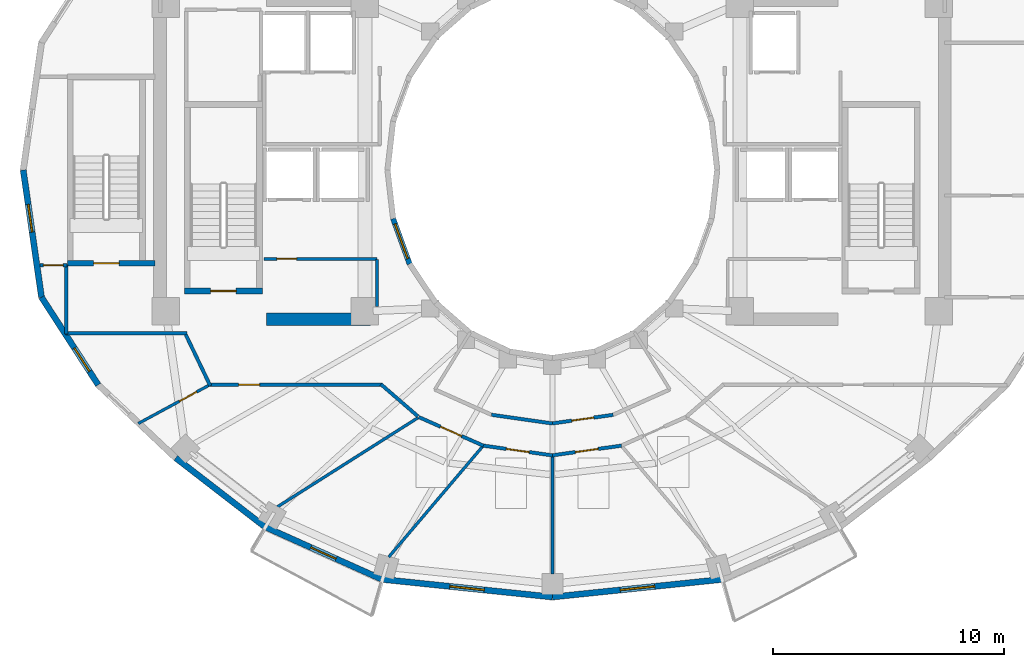
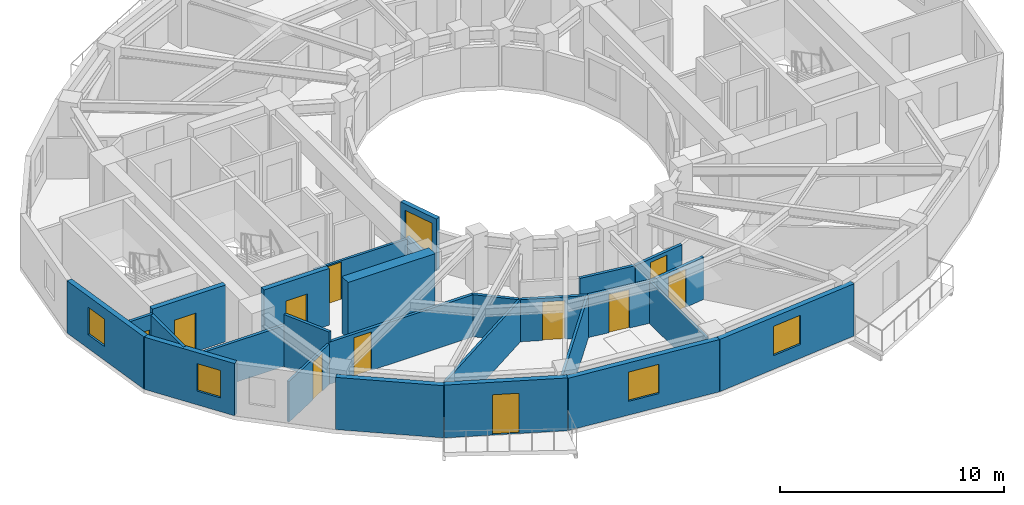
# One storey, part 3 of 10: 27 walls, 11 doors, 5 windows, 16 openings.
"""IFC4 building model written with IfcOpenShell, lengths in metres."""

from ifc_helpers import new_model, si_unit, direction, frame, frame_2d, origin, place, context, subcontext, project, spatial, rectangle, extrude, material, layer, layer_set, type_object, element, fill, save


model = new_model("IFC4")

# Units and contexts
model_context = context("Model", 3, precision=1e-05, world=origin(), true_north=direction((0.0, 1.0)))
body_context = subcontext(model_context, "Body", "Model", "MODEL_VIEW")
ifc_project = project(units=[si_unit("LENGTHUNIT", "METRE"), si_unit("AREAUNIT", "SQUARE_METRE"), si_unit("VOLUMEUNIT", "CUBIC_METRE"), si_unit("PLANEANGLEUNIT", "RADIAN"), si_unit("MASSUNIT", "GRAM", prefix="KILO")], contexts=[model_context])

# Site, building, storey
site_placement = place(None, origin())
site = spatial("IfcSite", under=ifc_project, at=site_placement, CompositionType="ELEMENT")
building_placement = place(site_placement, origin())
building = spatial("IfcBuilding", under=site, at=building_placement, Name="Solvane Sanctuary Tower", CompositionType="ELEMENT")
storey_placement = place(building_placement, frame((0.0, 0.0, 183.89990234375)))
storey = spatial("IfcBuildingStorey", under=building, at=storey_placement, Name="L56", CompositionType="ELEMENT", Elevation=183.89990234375)

# Wall
ifc_material_1 = material(Name="Concrete C50/60", Category="concrete")
ifc_layer_1 = layer(ifc_material_1, 0.550048828125, Name="Concrete C50/60")
ifc_layer_set_1 = layer_set([ifc_layer_1], Name="Concrete C50/60")
wall_type_1 = type_object("IfcWallType", Name="Wall W-CORE-550", PredefinedType="SHEAR", material=ifc_layer_set_1)
wall_1_placement = place(storey_placement, frame((19.64990234375, 16.550048828125, 0.0), z_axis=(0.0, 0.0, 1.0), x_axis=(1.0, 0.0, 0.0)))
element("IfcWall", 1, at=wall_1_placement, inside=storey, type_object=wall_type_1, Name="L56 Core Shear Wall WC-S", PredefinedType="SHEAR", context=body_context, shape_type="SweptSolid", body=[
    extrude(rectangle(XDim=4.5, YDim=0.550048828125, at=frame_2d((2.25, 0.0))), origin(), (0.0, 0.0, 1.0), 3.10009765625),
])

# Wall, opening, door
ifc_material_2 = material(Name="Acoustic Gypsum Partition Board")
ifc_layer_2 = layer(ifc_material_2, 0.14990234375, Name="Acoustic Gypsum Partition Board")
ifc_layer_set_2 = layer_set([ifc_layer_2], Name="Acoustic Gypsum Partition Board")
wall_type_2 = type_object("IfcWallType", Name="Wall W-CORR-150", PredefinedType="PARTITIONING", material=ifc_layer_set_2)
wall_2_placement = place(storey_placement, frame((9.869873046875, 18.8798828125, 0.0), z_axis=(0.0, 0.0, 1.0), x_axis=(1.0, 0.0, 0.0)))
wall_2 = element("IfcWall", 2, at=wall_2_placement, inside=storey, type_object=wall_type_2, Name="L56 SW Corner Closer 1", PredefinedType="PARTITIONING", context=body_context, shape_type="SweptSolid", body=[
    extrude(rectangle(XDim=1.170166015625, YDim=0.14990234375, at=frame_2d((0.5849609375, 0.0))), origin(), (0.0, 0.0, 1.0), 2.85498046875),
])
opening_1_placement = place(wall_2_placement, frame((0.139892578125, 0.0, 0.0)))
opening_1 = element("IfcOpeningElement", 3, at=opening_1_placement, cuts=wall_2, Name="Opening D-L56-19", PredefinedType="OPENING", context=body_context, shape_type="SweptSolid", body=[
    extrude(rectangle(XDim=0.85009765625, YDim=2.050048828125, at=frame_2d((0.425048828125, 1.02490234375))), frame((0.0, 0.0849609375, 0.0), z_axis=(0.0, -1.0, 0.0), x_axis=(1.0, 0.0, 0.0)), (0.0, 0.0, 1.0), 0.169921875),
])
ifc_material_3 = material(Name="Architectural Stainless Steel 316", Category="steel")
door_type_1 = type_object("IfcDoorType", Name="Door D-RISER", OperationType="NOTDEFINED", PredefinedType="DOOR", material=ifc_material_3)
door_1_placement = place(opening_1_placement, origin())
door_1 = element("IfcDoor", 4, at=door_1_placement, inside=storey, type_object=door_type_1, Name="L56 West Lookout Study Door", OperationType="SINGLE_SWING_LEFT", OverallHeight=2.050048828125, OverallWidth=0.85009765625, PredefinedType="DOOR", context=body_context, shape_type="SweptSolid", body=[
    extrude(rectangle(XDim=0.85009765625, YDim=2.050048828125, at=frame_2d((0.425048828125, 1.02490234375))), frame((0.0, 0.02490234375, 0.0), z_axis=(0.0, -1.0, 0.0), x_axis=(1.0, 0.0, 0.0)), (0.0, 0.0, 1.0), 0.050048828125),
])
fill(opening_1, door_1)

# Walls
wall_3_placement = place(storey_placement, frame((11.0, 15.909912109375, 0.0), z_axis=(0.0, 0.0, 1.0), x_axis=(0.0, 1.0, 0.0)))
element("IfcWall", 5, at=wall_3_placement, inside=storey, type_object=wall_type_2, Name="L56 SW Corner Closer 2", PredefinedType="PARTITIONING", context=body_context, shape_type="SweptSolid", body=[
    extrude(rectangle(XDim=3.010009765625, YDim=0.14990234375, at=frame_2d((1.5048828125, 0.0))), origin(), (0.0, 0.0, 1.0), 2.85498046875),
])
wall_4_placement = place(storey_placement, frame((10.9599609375, 15.949951171875, 0.0), z_axis=(0.0, 0.0, 1.0), x_axis=(1.0, 0.0, 0.0)))
element("IfcWall", 6, at=wall_4_placement, inside=storey, type_object=wall_type_2, Name="L56 SW Corner Closer 3", PredefinedType="PARTITIONING", context=body_context, shape_type="SweptSolid", body=[
    extrude(rectangle(XDim=5.260009765625, YDim=0.14990234375, at=frame_2d((2.6298828125, 0.0))), origin(), (0.0, 0.0, 1.0), 2.22021484375),
])
wall_5_placement = place(storey_placement, frame((26.193359375, 12.35791015625, 0.0), z_axis=(0.0, 0.0, 1.0), x_axis=(-0.756055312247, 0.654507727092, 0.0)))
element("IfcWall", 7, at=wall_5_placement, inside=storey, type_object=wall_type_2, Name="L56 SW Corner Throat Wall", PredefinedType="PARTITIONING", context=body_context, shape_type="SweptSolid", body=[
    extrude(rectangle(XDim=2.11083984375, YDim=0.14990234375, at=frame_2d((1.055419921875, 0.0))), origin(), (0.0, 0.0, 1.0), 2.299072265625),
])

# Wall, opening, door
wall_6_placement = place(storey_placement, frame((17.14990234375, 13.719970703125, 0.0), z_axis=(0.0, 0.0, 1.0), x_axis=(1.0, 0.0, 0.0)))
wall_6 = element("IfcWall", 8, at=wall_6_placement, inside=storey, type_object=wall_type_2, Name="L56 SW Corner Corridor Wall", PredefinedType="PARTITIONING", context=body_context, shape_type="SweptSolid", body=[
    extrude(rectangle(XDim=7.52001953125, YDim=0.14990234375, at=frame_2d((3.760009765625, 0.0))), origin(), (0.0, 0.0, 1.0), 2.299072265625),
])
opening_2_placement = place(wall_6_placement, frame((1.300048828125, 0.0, 0.0)))
opening_2 = element("IfcOpeningElement", 9, at=opening_2_placement, cuts=wall_6, Name="Opening D-L56-21", PredefinedType="OPENING", context=body_context, shape_type="SweptSolid", body=[
    extrude(rectangle(XDim=0.89990234375, YDim=2.10009765625, at=frame_2d((0.449951171875, 1.050048828125))), frame((0.0, 0.0849609375, 0.0), z_axis=(0.0, -1.0, 0.0), x_axis=(1.0, 0.0, 0.0)), (0.0, 0.0, 1.0), 0.169921875),
])
ifc_material_4 = material(Name="Engineered Tropical Hardwood", Category="wood")
door_type_2 = type_object("IfcDoorType", Name="Door D-WET-900", OperationType="NOTDEFINED", PredefinedType="DOOR", material=ifc_material_4)
door_2_placement = place(opening_2_placement, origin())
door_2 = element("IfcDoor", 10, at=door_2_placement, inside=storey, type_object=door_type_2, Name="L56 SW Corner Salon Door", OperationType="SINGLE_SWING_LEFT", OverallHeight=2.10009765625, OverallWidth=0.89990234375, PredefinedType="DOOR", context=body_context, shape_type="SweptSolid", body=[
    extrude(rectangle(XDim=0.89990234375, YDim=2.10009765625, at=frame_2d((0.449951171875, 1.050048828125))), frame((0.0, 0.02490234375, 0.0), z_axis=(0.0, -1.0, 0.0), x_axis=(1.0, 0.0, 0.0)), (0.0, 0.0, 1.0), 0.050048828125),
])
fill(opening_2, door_2)

# Walls
wall_7_placement = place(storey_placement, frame((17.2216796875, 13.6748046875, 0.0), z_axis=(0.0, 0.0, 1.0), x_axis=(-0.431973389813, 0.901886351207, 0.0)))
element("IfcWall", 11, at=wall_7_placement, inside=storey, type_object=wall_type_2, Name="L56 SW Corner Wing Wall", PredefinedType="PARTITIONING", context=body_context, shape_type="SweptSolid", body=[
    extrude(rectangle(XDim=2.45166015625, YDim=0.14990234375, at=frame_2d((1.225830078125, 0.0))), origin(), (0.0, 0.0, 1.0), 2.85498046875),
])
wall_8_placement = place(storey_placement, frame((29.371337890625, 12.423583984375, 0.0), z_axis=(0.0, 0.0, 1.0), x_axis=(0.990066775667, -0.1405979364, 0.0)))
element("IfcWall", 12, at=wall_8_placement, inside=storey, type_object=wall_type_2, Name="L56 Inner Light-Well Corridor Wall S1", PredefinedType="PARTITIONING", context=body_context, shape_type="SweptSolid", body=[
    extrude(rectangle(XDim=2.65673828125, YDim=0.14990234375, at=frame_2d((1.328369140625, 0.0))), origin(), (0.0, 0.0, 1.0), 2.299072265625),
])

# Wall, opening, door
wall_9_placement = place(storey_placement, frame((31.998291015625, 12.050048828125, 0.0), z_axis=(0.0, 0.0, 1.0), x_axis=(0.990066775667, 0.1405979364, 0.0)))
wall_9 = element("IfcWall", 13, at=wall_9_placement, inside=storey, type_object=wall_type_2, Name="L56 Inner Light-Well Corridor Wall S1", PredefinedType="PARTITIONING", context=body_context, shape_type="SweptSolid", body=[
    extrude(rectangle(XDim=2.65673828125, YDim=0.14990234375, at=frame_2d((1.328369140625, 0.0))), origin(), (0.0, 0.0, 1.0), 2.299072265625),
])
opening_3_placement = place(wall_9_placement, frame((0.853515625, 0.0, 0.0)))
opening_3 = element("IfcOpeningElement", 14, at=opening_3_placement, cuts=wall_9, Name="Opening D-L56-23", PredefinedType="OPENING", context=body_context, shape_type="SweptSolid", body=[
    extrude(rectangle(XDim=0.949951171875, YDim=2.10009765625, at=frame_2d((0.47509765625, 1.050048828125))), frame((0.0, 0.0849609375, 0.0), z_axis=(0.0, -1.0, 0.0), x_axis=(1.0, 0.0, 0.0)), (0.0, 0.0, 1.0), 0.169921875),
])
door_type_3 = type_object("IfcDoorType", Name="Door D-ROOM-950", OperationType="NOTDEFINED", PredefinedType="DOOR", material=ifc_material_4)
door_3_placement = place(opening_3_placement, origin())
door_3 = element("IfcDoor", 15, at=door_3_placement, inside=storey, type_object=door_type_3, Name="L56 Inner Light-Well Salon Door S1", OperationType="SINGLE_SWING_LEFT", OverallHeight=2.10009765625, OverallWidth=0.949951171875, PredefinedType="DOOR", context=body_context, shape_type="SweptSolid", body=[
    extrude(rectangle(XDim=0.949951171875, YDim=2.10009765625, at=frame_2d((0.47509765625, 1.050048828125))), frame((0.0, 0.02490234375, 0.0), z_axis=(0.0, -1.0, 0.0), x_axis=(1.0, 0.0, 0.0)), (0.0, 0.0, 1.0), 0.050048828125),
])
fill(opening_3, door_3)

wall_10_placement = place(storey_placement, frame((26.22802734375, 12.326171875, 0.0), z_axis=(0.0, 0.0, 1.0), x_axis=(0.914324470734, -0.404982422108, 0.0)))
wall_10 = element("IfcWall", 16, at=wall_10_placement, inside=storey, type_object=wall_type_2, Name="L56 Unit Corridor Wall S1", PredefinedType="PARTITIONING", context=body_context, shape_type="SweptSolid", body=[
    extrude(rectangle(XDim=3.0576171875, YDim=0.14990234375, at=frame_2d((1.52880859375, 0.0))), origin(), (0.0, 0.0, 1.0), 2.299072265625),
])
opening_4_placement = place(wall_10_placement, frame((1.02880859375, 0.0, 0.0)))
opening_4 = element("IfcOpeningElement", 17, at=opening_4_placement, cuts=wall_10, Name="Opening D-L56-28", PredefinedType="OPENING", context=body_context, shape_type="SweptSolid", body=[
    extrude(rectangle(XDim=1.0, YDim=2.10009765625, at=frame_2d((0.5, 1.050048828125))), frame((0.0, 0.0849609375, 0.0), z_axis=(0.0, -1.0, 0.0), x_axis=(1.0, 0.0, 0.0)), (0.0, 0.0, 1.0), 0.169921875),
])
door_type_4 = type_object("IfcDoorType", Name="Door D-UNIT", OperationType="NOTDEFINED", PredefinedType="DOOR", material=ifc_material_4)
door_4_placement = place(opening_4_placement, origin())
door_4 = element("IfcDoor", 18, at=door_4_placement, inside=storey, type_object=door_type_4, Name="L56 Unit Entrance Door S1", OperationType="SINGLE_SWING_RIGHT", OverallHeight=2.10009765625, OverallWidth=1.0, PredefinedType="DOOR", context=body_context, shape_type="SweptSolid", body=[
    extrude(rectangle(XDim=1.0, YDim=2.10009765625, at=frame_2d((0.5, 1.050048828125))), frame((0.0, 0.02490234375, 0.0), z_axis=(0.0, -1.0, 0.0), x_axis=(1.0, 0.0, 0.0)), (0.0, 0.0, 1.0), 0.050048828125),
])
fill(opening_4, door_4)

wall_11_placement = place(storey_placement, frame((29.008056640625, 11.09228515625, 0.0), z_axis=(0.0, 0.0, 1.0), x_axis=(0.990234341072, -0.139412875167, 0.0)))
wall_11 = element("IfcWall", 19, at=wall_11_placement, inside=storey, type_object=wall_type_2, Name="L56 Unit Corridor Wall S2", PredefinedType="PARTITIONING", context=body_context, shape_type="SweptSolid", body=[
    extrude(rectangle(XDim=3.029541015625, YDim=0.14990234375, at=frame_2d((1.5146484375, 0.0))), origin(), (0.0, 0.0, 1.0), 2.299072265625),
])
opening_5_placement = place(wall_11_placement, frame((1.014892578125, 0.0, 0.0)))
opening_5 = element("IfcOpeningElement", 20, at=opening_5_placement, cuts=wall_11, Name="Opening D-L56-29", PredefinedType="OPENING", context=body_context, shape_type="SweptSolid", body=[
    extrude(rectangle(XDim=1.0, YDim=2.10009765625, at=frame_2d((0.5, 1.050048828125))), frame((0.0, 0.0849609375, 0.0), z_axis=(0.0, -1.0, 0.0), x_axis=(1.0, 0.0, 0.0)), (0.0, 0.0, 1.0), 0.169921875),
])
door_5_placement = place(opening_5_placement, origin())
door_5 = element("IfcDoor", 21, at=door_5_placement, inside=storey, type_object=door_type_4, Name="L56 Unit Entrance Door S2", OperationType="SINGLE_SWING_LEFT", OverallHeight=2.10009765625, OverallWidth=1.0, PredefinedType="DOOR", context=body_context, shape_type="SweptSolid", body=[
    extrude(rectangle(XDim=1.0, YDim=2.10009765625, at=frame_2d((0.5, 1.050048828125))), frame((0.0, 0.02490234375, 0.0), z_axis=(0.0, -1.0, 0.0), x_axis=(1.0, 0.0, 0.0)), (0.0, 0.0, 1.0), 0.050048828125),
])
fill(opening_5, door_5)

wall_12_placement = place(storey_placement, frame((31.991943359375, 10.669921875, 0.0), z_axis=(0.0, 0.0, 1.0), x_axis=(0.990234341072, 0.139412875167, 0.0)))
wall_12 = element("IfcWall", 22, at=wall_12_placement, inside=storey, type_object=wall_type_2, Name="L56 Unit Corridor Wall S3", PredefinedType="PARTITIONING", context=body_context, shape_type="SweptSolid", body=[
    extrude(rectangle(XDim=3.029541015625, YDim=0.14990234375, at=frame_2d((1.5146484375, 0.0))), origin(), (0.0, 0.0, 1.0), 2.299072265625),
])
opening_6_placement = place(wall_12_placement, frame((1.014892578125, 0.0, 0.0)))
opening_6 = element("IfcOpeningElement", 23, at=opening_6_placement, cuts=wall_12, Name="Opening D-L56-30", PredefinedType="OPENING", context=body_context, shape_type="SweptSolid", body=[
    extrude(rectangle(XDim=1.0, YDim=2.10009765625, at=frame_2d((0.5, 1.050048828125))), frame((0.0, 0.0849609375, 0.0), z_axis=(0.0, -1.0, 0.0), x_axis=(1.0, 0.0, 0.0)), (0.0, 0.0, 1.0), 0.169921875),
])
door_6_placement = place(opening_6_placement, origin())
door_6 = element("IfcDoor", 24, at=door_6_placement, inside=storey, type_object=door_type_4, Name="L56 Unit Entrance Door S3", OperationType="SINGLE_SWING_RIGHT", OverallHeight=2.10009765625, OverallWidth=1.0, PredefinedType="DOOR", context=body_context, shape_type="SweptSolid", body=[
    extrude(rectangle(XDim=1.0, YDim=2.10009765625, at=frame_2d((0.5, 1.050048828125))), frame((0.0, 0.02490234375, 0.0), z_axis=(0.0, -1.0, 0.0), x_axis=(1.0, 0.0, 0.0)), (0.0, 0.0, 1.0), 0.050048828125),
])
fill(opening_6, door_6)

# Wall, opening, window
ifc_material_5 = material(Name="Precast concrete C40/50", Category="concrete")
ifc_layer_3 = layer(ifc_material_5, 0.260009765625, Name="Precast concrete C40/50")
ifc_layer_set_3 = layer_set([ifc_layer_3], Name="Precast concrete C40/50")
wall_type_3 = type_object("IfcWallType", Name="Wall W-EXT-250", PredefinedType="STANDARD", material=ifc_layer_set_3)
wall_13_placement = place(storey_placement, frame((9.139892578125, 23.0, 0.0), z_axis=(0.0, 0.0, 1.0), x_axis=(0.142227632286, -0.989833976288, 0.0)))
wall_13 = element("IfcWall", 25, at=wall_13_placement, inside=storey, type_object=wall_type_3, Name="L56 Ceramic-Printed Facade Wall 12", PredefinedType="STANDARD", context=body_context, shape_type="SweptSolid", body=[
    extrude(rectangle(XDim=5.552978515625, YDim=0.260009765625, at=frame_2d((2.7763671875, 0.0))), origin(), (0.0, 0.0, 1.0), 2.85009765625),
])
opening_7_placement = place(wall_13_placement, frame((1.506103515625, 0.0, 0.75)))
opening_7 = element("IfcOpeningElement", 26, at=opening_7_placement, cuts=wall_13, Name="Opening WN-OPER-1200", PredefinedType="OPENING", context=body_context, shape_type="SweptSolid", body=[
    extrude(rectangle(XDim=1.199951171875, YDim=1.5, at=frame_2d((0.60009765625, 0.75))), frame((0.0, 0.139892578125, 0.0), z_axis=(0.0, -1.0, 0.0), x_axis=(1.0, 0.0, 0.0)), (0.0, 0.0, 1.0), 0.280029296875),
])
ifc_material_6 = material(Name="Dark Ceramic-Fritted Low-E Glass", Category="glass")
window_type_1 = type_object("IfcWindowType", Name="Window WN-OPER-1200", PartitioningType="SINGLE_PANEL", PredefinedType="WINDOW", material=ifc_material_6)
window_1_placement = place(opening_7_placement, origin())
window_1 = element("IfcWindow", 27, at=window_1_placement, inside=storey, type_object=window_type_1, Name="L56 Operable Facade Window 12", OverallHeight=1.5, OverallWidth=1.199951171875, PartitioningType="SINGLE_PANEL", PredefinedType="WINDOW", context=body_context, shape_type="SweptSolid", body=[
    extrude(rectangle(XDim=1.199951171875, YDim=1.5, at=frame_2d((0.60009765625, 0.75))), frame((0.0, 0.030029296875, 0.0), z_axis=(0.0, -1.0, 0.0), x_axis=(1.0, 0.0, 0.0)), (0.0, 0.0, 1.0), 0.06005859375),
])
fill(opening_7, window_1)

wall_14_placement = place(storey_placement, frame((9.9296875, 17.50341796875, 0.0), z_axis=(0.0, 0.0, 1.0), x_axis=(0.543358984534, -0.839500454989, 0.0)))
wall_14 = element("IfcWall", 28, at=wall_14_placement, inside=storey, type_object=wall_type_3, Name="L56 Ceramic-Printed Facade Wall 13", PredefinedType="STANDARD", context=body_context, shape_type="SweptSolid", body=[
    extrude(rectangle(XDim=4.51123046875, YDim=0.260009765625, at=frame_2d((2.255615234375, 0.0))), origin(), (0.0, 0.0, 1.0), 2.85009765625),
])
opening_8_placement = place(wall_14_placement, frame((2.615478515625, 0.0, 0.75)))
opening_8 = element("IfcOpeningElement", 29, at=opening_8_placement, cuts=wall_14, Name="Opening WN-OPER-1200", PredefinedType="OPENING", context=body_context, shape_type="SweptSolid", body=[
    extrude(rectangle(XDim=1.199951171875, YDim=1.5, at=frame_2d((0.60009765625, 0.75))), frame((0.0, 0.139892578125, 0.0), z_axis=(0.0, -1.0, 0.0), x_axis=(1.0, 0.0, 0.0)), (0.0, 0.0, 1.0), 0.280029296875),
])
window_2_placement = place(opening_8_placement, origin())
window_2 = element("IfcWindow", 30, at=window_2_placement, inside=storey, type_object=window_type_1, Name="L56 Operable Facade Window 13", OverallHeight=1.5, OverallWidth=1.199951171875, PartitioningType="SINGLE_PANEL", PredefinedType="WINDOW", context=body_context, shape_type="SweptSolid", body=[
    extrude(rectangle(XDim=1.199951171875, YDim=1.5, at=frame_2d((0.60009765625, 0.75))), frame((0.0, 0.030029296875, 0.0), z_axis=(0.0, -1.0, 0.0), x_axis=(1.0, 0.0, 0.0)), (0.0, 0.0, 1.0), 0.06005859375),
])
fill(opening_8, window_2)

# Wall
wall_15_placement = place(storey_placement, frame((15.730712890625, 10.55859375, 0.0), z_axis=(0.0, 0.0, 1.0), x_axis=(0.791460185804, -0.611220724687, 0.0)))
element("IfcWall", 31, at=wall_15_placement, inside=storey, type_object=wall_type_3, Name="L56 Ceramic-Printed Facade Wall 15", PredefinedType="STANDARD", context=body_context, shape_type="SweptSolid", body=[
    extrude(rectangle(XDim=4.872314453125, YDim=0.260009765625, at=frame_2d((2.43603515625, 0.0))), origin(), (0.0, 0.0, 1.0), 2.85009765625),
])

# Wall, opening, door
wall_16_placement = place(storey_placement, frame((19.5869140625, 7.58056640625, 0.0), z_axis=(0.0, 0.0, 1.0), x_axis=(0.912353637112, -0.409403029847, 0.0)))
wall_16 = element("IfcWall", 32, at=wall_16_placement, inside=storey, type_object=wall_type_3, Name="L56 Balcony Facade Wall S1", PredefinedType="STANDARD", context=body_context, shape_type="SweptSolid", body=[
    extrude(rectangle(XDim=5.53271484375, YDim=0.260009765625, at=frame_2d((2.766357421875, 0.0))), origin(), (0.0, 0.0, 1.0), 2.880126953125),
])
opening_9_placement = place(wall_16_placement, frame((2.16650390625, 0.0, 0.0)))
opening_9 = element("IfcOpeningElement", 33, at=opening_9_placement, cuts=wall_16, Name="Opening D-L56-03", PredefinedType="OPENING", context=body_context, shape_type="SweptSolid", body=[
    extrude(rectangle(XDim=1.199951171875, YDim=2.199951171875, at=frame_2d((0.60009765625, 1.10009765625))), frame((0.0, 0.139892578125, 0.0), z_axis=(0.0, -1.0, 0.0), x_axis=(1.0, 0.0, 0.0)), (0.0, 0.0, 1.0), 0.280029296875),
])
ifc_material_7 = material(Name="Anodised Aluminium 6063-T6", Category="aluminium")
door_type_5 = type_object("IfcDoorType", Name="Door D-BALC-1200", OperationType="NOTDEFINED", PredefinedType="DOOR", material=ifc_material_7)
door_7_placement = place(opening_9_placement, origin())
door_7 = element("IfcDoor", 34, at=door_7_placement, inside=storey, type_object=door_type_5, Name="L56 Glazed Balcony Door S1", OperationType="SINGLE_SWING_RIGHT", OverallHeight=2.199951171875, OverallWidth=1.199951171875, PredefinedType="DOOR", context=body_context, shape_type="SweptSolid", body=[
    extrude(rectangle(XDim=1.199951171875, YDim=2.199951171875, at=frame_2d((0.60009765625, 1.10009765625))), frame((0.0, 0.02490234375, 0.0), z_axis=(0.0, -1.0, 0.0), x_axis=(1.0, 0.0, 0.0)), (0.0, 0.0, 1.0), 0.050048828125),
])
fill(opening_9, door_7)

# Wall, opening, window
wall_17_placement = place(storey_placement, frame((24.634765625, 5.3154296875, 0.0), z_axis=(0.0, 0.0, 1.0), x_axis=(0.994664178965, -0.10316574569, 0.0)))
wall_17 = element("IfcWall", 35, at=wall_17_placement, inside=storey, type_object=wall_type_3, Name="L56 Ceramic-Printed Facade Wall 17", PredefinedType="STANDARD", context=body_context, shape_type="SweptSolid", body=[
    extrude(rectangle(XDim=7.40478515625, YDim=0.260009765625, at=frame_2d((3.702392578125, 0.0))), origin(), (0.0, 0.0, 1.0), 2.85009765625),
])
opening_10_placement = place(wall_17_placement, frame((2.952392578125, 0.0, 0.75)))
opening_10 = element("IfcOpeningElement", 36, at=opening_10_placement, cuts=wall_17, Name="Opening WN-OPER-1500", PredefinedType="OPENING", context=body_context, shape_type="SweptSolid", body=[
    extrude(rectangle(XDim=1.5, YDim=1.60009765625, at=frame_2d((0.75, 0.800048828125))), frame((0.0, 0.139892578125, 0.0), z_axis=(0.0, -1.0, 0.0), x_axis=(1.0, 0.0, 0.0)), (0.0, 0.0, 1.0), 0.280029296875),
])
window_type_2 = type_object("IfcWindowType", Name="Window WN-OPER-1500", PartitioningType="SINGLE_PANEL", PredefinedType="WINDOW", material=ifc_material_6)
window_3_placement = place(opening_10_placement, origin())
window_3 = element("IfcWindow", 37, at=window_3_placement, inside=storey, type_object=window_type_2, Name="L56 Operable Facade Window 17", OverallHeight=1.60009765625, OverallWidth=1.5, PartitioningType="SINGLE_PANEL", PredefinedType="WINDOW", context=body_context, shape_type="SweptSolid", body=[
    extrude(rectangle(XDim=1.5, YDim=1.60009765625, at=frame_2d((0.75, 0.800048828125))), frame((0.0, 0.030029296875, 0.0), z_axis=(0.0, -1.0, 0.0), x_axis=(1.0, 0.0, 0.0)), (0.0, 0.0, 1.0), 0.06005859375),
])
fill(opening_10, window_3)

wall_18_placement = place(storey_placement, frame((32.0, 4.551513671875, 0.0), z_axis=(0.0, 0.0, 1.0), x_axis=(0.994664178965, 0.10316574569, 0.0)))
wall_18 = element("IfcWall", 38, at=wall_18_placement, inside=storey, type_object=wall_type_3, Name="L56 Ceramic-Printed Facade Wall 18", PredefinedType="STANDARD", context=body_context, shape_type="SweptSolid", body=[
    extrude(rectangle(XDim=7.40478515625, YDim=0.260009765625, at=frame_2d((3.702392578125, 0.0))), origin(), (0.0, 0.0, 1.0), 2.85009765625),
])
opening_11_placement = place(wall_18_placement, frame((2.952392578125, 0.0, 0.75)))
opening_11 = element("IfcOpeningElement", 39, at=opening_11_placement, cuts=wall_18, Name="Opening WN-OPER-1500", PredefinedType="OPENING", context=body_context, shape_type="SweptSolid", body=[
    extrude(rectangle(XDim=1.5, YDim=1.60009765625, at=frame_2d((0.75, 0.800048828125))), frame((0.0, 0.139892578125, 0.0), z_axis=(0.0, -1.0, 0.0), x_axis=(1.0, 0.0, 0.0)), (0.0, 0.0, 1.0), 0.280029296875),
])
window_4_placement = place(opening_11_placement, origin())
window_4 = element("IfcWindow", 40, at=window_4_placement, inside=storey, type_object=window_type_2, Name="L56 Operable Facade Window 18", OverallHeight=1.60009765625, OverallWidth=1.5, PartitioningType="SINGLE_PANEL", PredefinedType="WINDOW", context=body_context, shape_type="SweptSolid", body=[
    extrude(rectangle(XDim=1.5, YDim=1.60009765625, at=frame_2d((0.75, 0.800048828125))), frame((0.0, 0.030029296875, 0.0), z_axis=(0.0, -1.0, 0.0), x_axis=(1.0, 0.0, 0.0)), (0.0, 0.0, 1.0), 0.06005859375),
])
fill(opening_11, window_4)

ifc_layer_4 = layer(ifc_material_5, 0.22998046875, Name="Precast concrete C40/50")
ifc_layer_set_4 = layer_set([ifc_layer_4], Name="Precast concrete C40/50")
wall_type_4 = type_object("IfcWallType", Name="Wall W-EXT-SP220", PredefinedType="STANDARD", material=ifc_layer_set_4)
wall_19_placement = place(storey_placement, frame((25.12255859375, 20.8984375, 0.0), z_axis=(0.0, 0.0, 1.0), x_axis=(0.341423187295, -0.93990968033, 0.0)))
wall_19 = element("IfcWall", 41, at=wall_19_placement, inside=storey, type_object=wall_type_4, Name="L56 Central Light-Well Wall 13", PredefinedType="STANDARD", context=body_context, shape_type="SweptSolid", body=[
    extrude(rectangle(XDim=2.083740234375, YDim=0.22998046875, at=frame_2d((1.0419921875, 0.0))), origin(), (0.0, 0.0, 1.0), 2.840087890625),
])
opening_12_placement = place(wall_19_placement, frame((0.24169921875, 0.0, 0.85009765625)))
opening_12 = element("IfcOpeningElement", 42, at=opening_12_placement, cuts=wall_19, Name="Opening WN-WELL-1600", PredefinedType="OPENING", context=body_context, shape_type="SweptSolid", body=[
    extrude(rectangle(XDim=1.60009765625, YDim=1.64990234375, at=frame_2d((0.800048828125, 0.824951171875))), frame((0.0, 0.125, 0.0), z_axis=(0.0, -1.0, 0.0), x_axis=(1.0, 0.0, 0.0)), (0.0, 0.0, 1.0), 0.25),
])
ifc_material_8 = material(Name="Clear Laminated Light-Well Glass", Category="glass")
window_type_3 = type_object("IfcWindowType", Name="Window WN-WELL-1600", PartitioningType="SINGLE_PANEL", PredefinedType="WINDOW", material=ifc_material_8)
window_5_placement = place(opening_12_placement, origin())
window_5 = element("IfcWindow", 43, at=window_5_placement, inside=storey, type_object=window_type_3, Name="L56 Light-Well Daylight Window 13", OverallHeight=1.64990234375, OverallWidth=1.60009765625, PartitioningType="SINGLE_PANEL", PredefinedType="WINDOW", context=body_context, shape_type="SweptSolid", body=[
    extrude(rectangle(XDim=1.60009765625, YDim=1.64990234375, at=frame_2d((0.800048828125, 0.824951171875))), frame((0.0, 0.030029296875, 0.0), z_axis=(0.0, -1.0, 0.0), x_axis=(1.0, 0.0, 0.0)), (0.0, 0.0, 1.0), 0.06005859375),
])
fill(opening_12, window_5)

# Wall, opening, door
ifc_layer_5 = layer(ifc_material_2, 0.1201171875, Name="Acoustic Gypsum Partition Board")
ifc_layer_set_5 = layer_set([ifc_layer_5], Name="Acoustic Gypsum Partition Board")
wall_type_5 = type_object("IfcWallType", Name="Wall W-MOV-100", PredefinedType="MOVABLE", material=ifc_layer_set_5)
wall_20_placement = place(storey_placement, frame((17.243896484375, 13.743896484375, 0.0), z_axis=(0.0, 0.0, 1.0), x_axis=(-0.879385297668, -0.476110804587, 0.0)))
wall_20 = element("IfcWall", 44, at=wall_20_placement, inside=storey, type_object=wall_type_5, Name="L56 SW Corner Suite Partition", PredefinedType="MOVABLE", context=body_context, shape_type="SweptSolid", body=[
    extrude(rectangle(XDim=3.559814453125, YDim=0.1201171875, at=frame_2d((1.77978515625, 0.0))), origin(), (0.0, 0.0, 1.0), 2.22021484375),
])
opening_13_placement = place(wall_20_placement, frame((0.6943359375, 0.0, 0.0)))
opening_13 = element("IfcOpeningElement", 45, at=opening_13_placement, cuts=wall_20, Name="Opening D-L56-20", PredefinedType="OPENING", context=body_context, shape_type="SweptSolid", body=[
    extrude(rectangle(XDim=0.85009765625, YDim=2.050048828125, at=frame_2d((0.425048828125, 1.02490234375))), frame((0.0, 0.070068359375, 0.0), z_axis=(0.0, -1.0, 0.0), x_axis=(1.0, 0.0, 0.0)), (0.0, 0.0, 1.0), 0.14013671875),
])
door_8_placement = place(opening_13_placement, origin())
door_8 = element("IfcDoor", 46, at=door_8_placement, inside=storey, type_object=door_type_1, Name="L56 SW Corner Suite Door", OperationType="SINGLE_SWING_RIGHT", OverallHeight=2.050048828125, OverallWidth=0.85009765625, PredefinedType="DOOR", context=body_context, shape_type="SweptSolid", body=[
    extrude(rectangle(XDim=0.85009765625, YDim=2.050048828125, at=frame_2d((0.425048828125, 1.02490234375))), frame((0.0, 0.02490234375, 0.0), z_axis=(0.0, -1.0, 0.0), x_axis=(1.0, 0.0, 0.0)), (0.0, 0.0, 1.0), 0.050048828125),
])
fill(opening_13, door_8)

ifc_layer_6 = layer(ifc_material_2, 0.125, Name="Acoustic Gypsum Partition Board")
ifc_layer_set_6 = layer_set([ifc_layer_6], Name="Acoustic Gypsum Partition Board")
wall_type_6 = type_object("IfcWallType", Name="Wall W-PART-125", PredefinedType="PARTITIONING", material=ifc_layer_set_6)
wall_21_placement = place(storey_placement, frame((19.550048828125, 19.159912109375, 0.0), z_axis=(0.0, 0.0, 1.0), x_axis=(1.0, 0.0, 0.0)))
wall_21 = element("IfcWall", 47, at=wall_21_placement, inside=storey, type_object=wall_type_6, Name="L56 Reclaimed Room Partition PLW", PredefinedType="PARTITIONING", context=body_context, shape_type="SweptSolid", body=[
    extrude(rectangle(XDim=4.869873046875, YDim=0.125, at=frame_2d((2.43505859375, 0.0))), origin(), (0.0, 0.0, 1.0), 2.1201171875),
])
opening_14_placement = place(wall_21_placement, frame((0.550048828125, 0.0, 0.0)))
opening_14 = element("IfcOpeningElement", 48, at=opening_14_placement, cuts=wall_21, Name="Opening D-L56-10", PredefinedType="OPENING", context=body_context, shape_type="SweptSolid", body=[
    extrude(rectangle(XDim=0.85009765625, YDim=2.050048828125, at=frame_2d((0.425048828125, 1.02490234375))), frame((0.0, 0.072509765625, 0.0), z_axis=(0.0, -1.0, 0.0), x_axis=(1.0, 0.0, 0.0)), (0.0, 0.0, 1.0), 0.14501953125),
])
door_9_placement = place(opening_14_placement, origin())
door_9 = element("IfcDoor", 49, at=door_9_placement, inside=storey, type_object=door_type_1, Name="L56 Reclaimed Room Door PLW-1", OperationType="SINGLE_SWING_RIGHT", OverallHeight=2.050048828125, OverallWidth=0.85009765625, PredefinedType="DOOR", context=body_context, shape_type="SweptSolid", body=[
    extrude(rectangle(XDim=0.85009765625, YDim=2.050048828125, at=frame_2d((0.425048828125, 1.02490234375))), frame((0.0, 0.02490234375, 0.0), z_axis=(0.0, -1.0, 0.0), x_axis=(1.0, 0.0, 0.0)), (0.0, 0.0, 1.0), 0.050048828125),
])
fill(opening_14, door_9)

# Walls
wall_22_placement = place(storey_placement, frame((24.419921875, 17.10009765625, 0.0), z_axis=(0.0, 0.0, 1.0), x_axis=(0.0, 1.0, 0.0)))
element("IfcWall", 50, at=wall_22_placement, inside=storey, type_object=wall_type_6, Name="L56 Reclaimed Room Closer Wall PLW-1", PredefinedType="PARTITIONING", context=body_context, shape_type="SweptSolid", body=[
    extrude(rectangle(XDim=2.039794921875, YDim=0.125, at=frame_2d((1.02001953125, 0.0))), origin(), (0.0, 0.0, 1.0), 2.232177734375),
])
wall_23_placement = place(storey_placement, frame((26.1884765625, 12.29248046875, 0.0), z_axis=(0.0, 0.0, 1.0), x_axis=(-0.844640430122, -0.535334048799, 0.0)))
element("IfcWall", 51, at=wall_23_placement, inside=storey, type_object=wall_type_6, Name="L56 Radial Compartment Wall 240", PredefinedType="PARTITIONING", context=body_context, shape_type="SweptSolid", body=[
    extrude(rectangle(XDim=7.188232421875, YDim=0.125, at=frame_2d((3.59423828125, 0.0))), origin(), (0.0, 0.0, 1.0), 2.299072265625),
])
wall_24_placement = place(storey_placement, frame((28.980224609375, 11.048095703125, 0.0), z_axis=(0.0, 0.0, 1.0), x_axis=(-0.647173462792, -0.762342776615, 0.0)))
element("IfcWall", 52, at=wall_24_placement, inside=storey, type_object=wall_type_6, Name="L56 Radial Compartment Wall 255", PredefinedType="PARTITIONING", context=body_context, shape_type="SweptSolid", body=[
    extrude(rectangle(XDim=6.25341796875, YDim=0.125, at=frame_2d((3.126708984375, 0.0))), origin(), (0.0, 0.0, 1.0), 2.299072265625),
])
wall_25_placement = place(storey_placement, frame((32.0, 10.614990234375, 0.0), z_axis=(0.0, 0.0, 1.0), x_axis=(0.0, -1.0, 0.0)))
element("IfcWall", 53, at=wall_25_placement, inside=storey, type_object=wall_type_6, Name="L56 Radial Compartment Wall 270", PredefinedType="PARTITIONING", context=body_context, shape_type="SweptSolid", body=[
    extrude(rectangle(XDim=5.06494140625, YDim=0.125, at=frame_2d((2.532470703125, 0.0))), origin(), (0.0, 0.0, 1.0), 2.299072265625),
])

# Wall, opening, door
ifc_layer_7 = layer(ifc_material_1, 0.25, Name="Concrete C50/60")
ifc_layer_set_7 = layer_set([ifc_layer_7], Name="Concrete C50/60")
wall_type_7 = type_object("IfcWallType", Name="Wall W-SHAFT-250", PredefinedType="SOLIDWALL", material=ifc_layer_set_7)
wall_26_placement = place(storey_placement, frame((16.10498046875, 17.77001953125, 0.0), z_axis=(0.0, 0.0, 1.0), x_axis=(1.0, 0.0, 0.0)))
wall_26 = element("IfcWall", 54, at=wall_26_placement, inside=storey, type_object=wall_type_7, Name="L56 ST-1 Load-Bearing Shaft Wall S", PredefinedType="SOLIDWALL", context=body_context, shape_type="SweptSolid", body=[
    extrude(rectangle(XDim=3.3701171875, YDim=0.25, at=frame_2d((1.68505859375, 0.0))), origin(), (0.0, 0.0, 1.0), 3.10009765625),
])
opening_15_placement = place(wall_26_placement, frame((1.135009765625, 0.0, 0.0)))
opening_15 = element("IfcOpeningElement", 55, at=opening_15_placement, cuts=wall_26, Name="Opening D-L56-05", PredefinedType="OPENING", context=body_context, shape_type="SweptSolid", body=[
    extrude(rectangle(XDim=1.10009765625, YDim=2.10009765625, at=frame_2d((0.550048828125, 1.050048828125))), frame((0.0, 0.135009765625, 0.0), z_axis=(0.0, -1.0, 0.0), x_axis=(1.0, 0.0, 0.0)), (0.0, 0.0, 1.0), 0.27001953125),
])
door_type_6 = type_object("IfcDoorType", Name="Door D-STAIR", OperationType="NOTDEFINED", PredefinedType="DOOR", material=ifc_material_3)
door_10_placement = place(opening_15_placement, origin())
door_10 = element("IfcDoor", 56, at=door_10_placement, inside=storey, type_object=door_type_6, Name="L56 ST-1 Exit Stair Fire Door", OperationType="SINGLE_SWING_RIGHT", OverallHeight=2.10009765625, OverallWidth=1.10009765625, PredefinedType="DOOR", context=body_context, shape_type="SweptSolid", body=[
    extrude(rectangle(XDim=1.10009765625, YDim=2.10009765625, at=frame_2d((0.550048828125, 1.050048828125))), frame((0.0, 0.02490234375, 0.0), z_axis=(0.0, -1.0, 0.0), x_axis=(1.0, 0.0, 0.0)), (0.0, 0.0, 1.0), 0.050048828125),
])
fill(opening_15, door_10)

wall_27_placement = place(storey_placement, frame((11.044921875, 18.969970703125, 0.0), z_axis=(0.0, 0.0, 1.0), x_axis=(1.0, 0.0, 0.0)))
wall_27 = element("IfcWall", 57, at=wall_27_placement, inside=storey, type_object=wall_type_7, Name="L56 ST-3 Load-Bearing Shaft Wall S", PredefinedType="SOLIDWALL", context=body_context, shape_type="SweptSolid", body=[
    extrude(rectangle(XDim=3.781982421875, YDim=0.25, at=frame_2d((1.89111328125, 0.0))), origin(), (0.0, 0.0, 1.0), 3.10009765625),
])
opening_16_placement = place(wall_27_placement, frame((1.135009765625, 0.0, 0.0)))
opening_16 = element("IfcOpeningElement", 58, at=opening_16_placement, cuts=wall_27, Name="Opening D-L56-07", PredefinedType="OPENING", context=body_context, shape_type="SweptSolid", body=[
    extrude(rectangle(XDim=1.10009765625, YDim=2.10009765625, at=frame_2d((0.550048828125, 1.050048828125))), frame((0.0, 0.135009765625, 0.0), z_axis=(0.0, -1.0, 0.0), x_axis=(1.0, 0.0, 0.0)), (0.0, 0.0, 1.0), 0.27001953125),
])
door_11_placement = place(opening_16_placement, origin())
door_11 = element("IfcDoor", 59, at=door_11_placement, inside=storey, type_object=door_type_6, Name="L56 ST-3 Exit Stair Fire Door", OperationType="SINGLE_SWING_RIGHT", OverallHeight=2.10009765625, OverallWidth=1.10009765625, PredefinedType="DOOR", context=body_context, shape_type="SweptSolid", body=[
    extrude(rectangle(XDim=1.10009765625, YDim=2.10009765625, at=frame_2d((0.550048828125, 1.050048828125))), frame((0.0, 0.02490234375, 0.0), z_axis=(0.0, -1.0, 0.0), x_axis=(1.0, 0.0, 0.0)), (0.0, 0.0, 1.0), 0.050048828125),
])
fill(opening_16, door_11)

save(model, "model.ifc")
